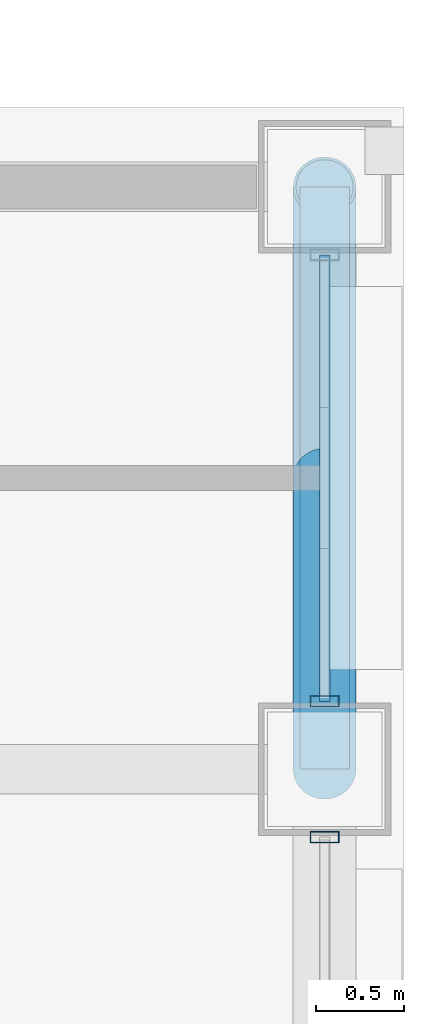
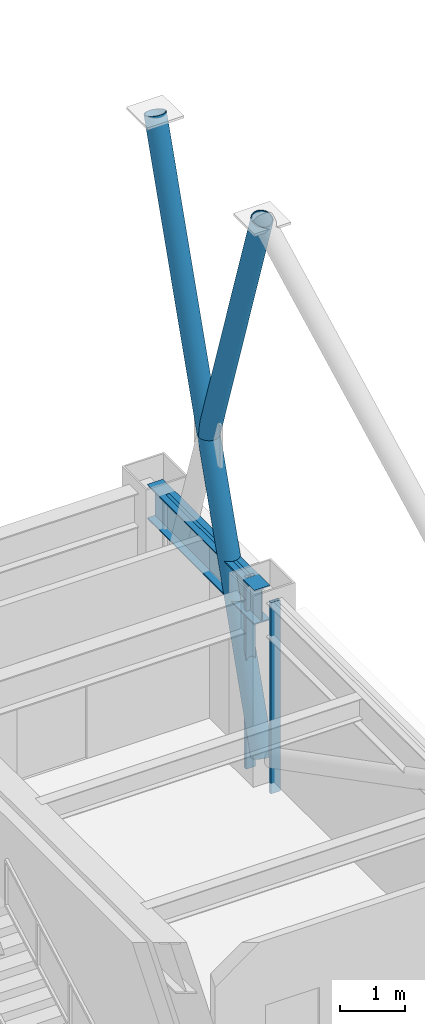
# One storey, part 18 of 30: 5 members, 1 beam, 2 elements without a shape of their own.
"""IFC4 building model written with IfcOpenShell, lengths in metres."""

from ifc_helpers import new_model, si_unit, direction, frame, origin, origin_2d, place, context, subcontext, project, spatial, hollow_rectangle, hollow_circle, i_section, extrude, material, layer, layer_set, material_profile, profile_set, type_object, element, aggregate, save


model = new_model("IFC4")

# Units and contexts
model_context = context("Model", 3, precision=1e-05, world=origin(), true_north=direction((0.0, 1.0)))
body_context = subcontext(model_context, "Body", "Model", "MODEL_VIEW")
ifc_project = project(units=[si_unit("LENGTHUNIT", "METRE"), si_unit("AREAUNIT", "SQUARE_METRE"), si_unit("VOLUMEUNIT", "CUBIC_METRE"), si_unit("PLANEANGLEUNIT", "RADIAN"), si_unit("MASSUNIT", "GRAM", prefix="KILO")], contexts=[model_context])

# Site, building, storey
site_placement = place(None, origin())
site = spatial("IfcSite", under=ifc_project, at=site_placement, CompositionType="ELEMENT")
building_placement = place(site_placement, origin())
building = spatial("IfcBuilding", under=site, at=building_placement, Name="Brelmoor Portico Tower", CompositionType="ELEMENT")
storey_placement = place(building_placement, frame((0.0, 0.0, 173.10009765625)))
storey = spatial("IfcBuildingStorey", under=building, at=storey_placement, Name="L45", CompositionType="ELEMENT", Elevation=173.10009765625)

# Beam
ifc_material_1 = material(Name="Steel Q355B", Category="steel")
ifc_material_profile_1 = material_profile(ifc_material_1, i_section(OverallWidth=0.280029296875, OverallDepth=0.64990234375, WebThickness=0.012939453125, FlangeThickness=0.02197265625, at=origin_2d()), Name="HN 650x280x13x22")
ifc_profile_set_1 = profile_set([ifc_material_profile_1], Name="Steel Q355B")
beam_type = type_object("IfcBeamType", Name="BM-SP-650", PredefinedType="SPANDREL", material=ifc_profile_set_1)
beam_placement = place(storey_placement, frame((20.550048828125, 9.75, 3.074951171875), z_axis=(0.0, 1.0, 0.0), x_axis=(-1.0, 0.0, 0.0)))
element("IfcBeam", 1, at=beam_placement, inside=storey, type_object=beam_type, Name="L45 Perimeter Spandrel Beam SP-20", PredefinedType="SPANDREL", context=body_context, shape_type="SweptSolid", body=[
    extrude(i_section(OverallWidth=0.280029296875, OverallDepth=0.64990234375, WebThickness=0.012939453125, FlangeThickness=0.02197265625, at=origin_2d()), origin(), (0.0, 0.0, 1.0), 3.300048828125),
])

# Members
ifc_material_profile_2 = material_profile(ifc_material_1, hollow_circle(Radius=0.177978515625, WallThickness=0.01611328125, at=origin_2d()), Name="CHS 356x16")
ifc_profile_set_2 = profile_set([ifc_material_profile_2], Name="Steel Q355B")
member_type_1 = type_object("IfcMemberType", Name="MB-BELT-DIAG2", PredefinedType="BRACE", material=ifc_profile_set_2)
member_1_placement = place(storey_placement, frame((20.550048828125, 9.75, 0.25), z_axis=(0.0, 0.310583561842, 0.950546080479), x_axis=(-1.0, 0.0, 0.0)))
element("IfcMember", 2, at=member_1_placement, inside=storey, type_object=member_type_1, Name="L45 Continuous Mega-X Brace 104A", PredefinedType="BRACE", context=body_context, shape_type="SweptSolid", body=[
    extrude(hollow_circle(Radius=0.177978515625, WallThickness=0.01611328125, at=origin_2d()), origin(), (0.0, 0.0, 1.0), 10.625244140625),
])
member_2_placement = place(storey_placement, frame((20.550048828125, 11.39990234375, 5.2998046875), z_axis=(0.0, -0.310556017859, 0.95055507982), x_axis=(1.0, 0.0, 0.0)))
element("IfcMember", 3, at=member_2_placement, inside=storey, type_object=member_type_1, Name="L45 Split Mega-X Brace 104B2", PredefinedType="BRACE", context=body_context, shape_type="SweptSolid", body=[
    extrude(hollow_circle(Radius=0.177978515625, WallThickness=0.01611328125, at=origin_2d()), origin(), (0.0, 0.0, 1.0), 5.312744140625),
])

# Curtain wall, member
ifc_material_2 = material(Name="Anodised Aluminium Alloy 6063-T6", Category="aluminium")
ifc_layer = layer(ifc_material_2, 0.179931640625)
ifc_layer_set = layer_set([ifc_layer], Name="Anodised Aluminium Alloy 6063-T6")
curtain_wall_type = type_object("IfcCurtainWallType", Name="CW-TOWER-Z3-XB", PredefinedType="NOTDEFINED", material=ifc_layer_set)
curtain_wall_1_placement = place(storey_placement, origin())
curtain_wall_1 = element("IfcCurtainWall", 4, at=curtain_wall_1_placement, inside=storey, type_object=curtain_wall_type, Name="L45 Curtain Wall CW-L45-04-2", PredefinedType="NOTDEFINED")
ifc_material_profile_3 = material_profile(ifc_material_2, hollow_rectangle(XDim=0.06494140625, YDim=0.1650390625, WallThickness=0.00390625, at=origin_2d()), Name="ALU MULLION 65x165")
ifc_profile_set_3 = profile_set([ifc_material_profile_3], Name="Anodised Aluminium Alloy 6063-T6")
member_type_2 = type_object("IfcMemberType", Name="MB-CW-MULL-165", PredefinedType="MULLION", material=ifc_profile_set_3)
member_3_placement = place(storey_placement, frame((20.550048828125, 9.364990234375, -0.2001953125), z_axis=(0.0, 0.0, 1.0), x_axis=(0.0, 1.0, 0.0)))
member_3 = element("IfcMember", 5, at=member_3_placement, type_object=member_type_2, Name="CW-L45-04-2 Mullion 02", PredefinedType="MULLION", context=body_context, shape_type="SweptSolid", body=[
    extrude(hollow_rectangle(XDim=0.06494140625, YDim=0.1650390625, WallThickness=0.00390625, at=origin_2d()), origin(), (0.0, 0.0, 1.0), 3.60009765625),
])
aggregate(curtain_wall_1, [member_3])

# Curtain wall, members
curtain_wall_2_placement = place(storey_placement, origin())
curtain_wall_2 = element("IfcCurtainWall", 6, at=curtain_wall_2_placement, inside=storey, type_object=curtain_wall_type, Name="L45 Curtain Wall CW-L45-04-3", PredefinedType="NOTDEFINED")
member_4_placement = place(storey_placement, frame((20.550048828125, 10.135009765625, -0.2001953125), z_axis=(0.0, 0.0, 1.0), x_axis=(0.0, 1.0, 0.0)))
member_4 = element("IfcMember", 7, at=member_4_placement, type_object=member_type_2, Name="CW-L45-04-3 Mullion 00", PredefinedType="MULLION", context=body_context, shape_type="SweptSolid", body=[
    extrude(hollow_rectangle(XDim=0.06494140625, YDim=0.1650390625, WallThickness=0.00390625, at=origin_2d()), origin(), (0.0, 0.0, 1.0), 3.60009765625),
])
ifc_material_profile_4 = material_profile(ifc_material_2, hollow_rectangle(XDim=0.06005859375, YDim=0.125, WallThickness=0.00341796875, at=origin_2d()), Name="ALU TRANSOM 60x125")
ifc_profile_set_4 = profile_set([ifc_material_profile_4], Name="Anodised Aluminium Alloy 6063-T6")
member_type_3 = type_object("IfcMemberType", Name="MB-CW-TRAN-125", PredefinedType="USERDEFINED", material=ifc_profile_set_4)
member_5_placement = place(storey_placement, frame((20.550048828125, 10.135009765625, 3.33740234375), z_axis=(0.0, 1.0, 0.0), x_axis=(-1.0, 0.0, 0.0)))
member_5 = element("IfcMember", 8, at=member_5_placement, type_object=member_type_3, Name="CW-L45-04-3 Transom 1-00", ObjectType="TRANSOM", PredefinedType="USERDEFINED", context=body_context, shape_type="SweptSolid", body=[
    extrude(hollow_rectangle(XDim=0.06005859375, YDim=0.125, WallThickness=0.00341796875, at=origin_2d()), origin(), (0.0, 0.0, 1.0), 2.530029296875),
])
aggregate(curtain_wall_2, [member_4, member_5])

save(model, "model.ifc")
